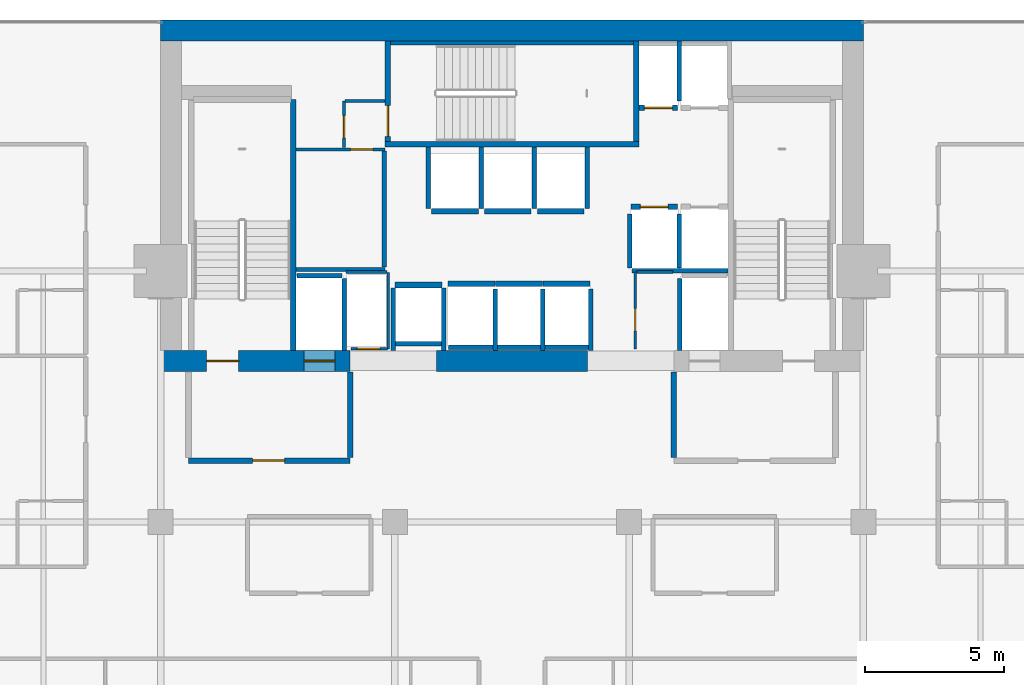
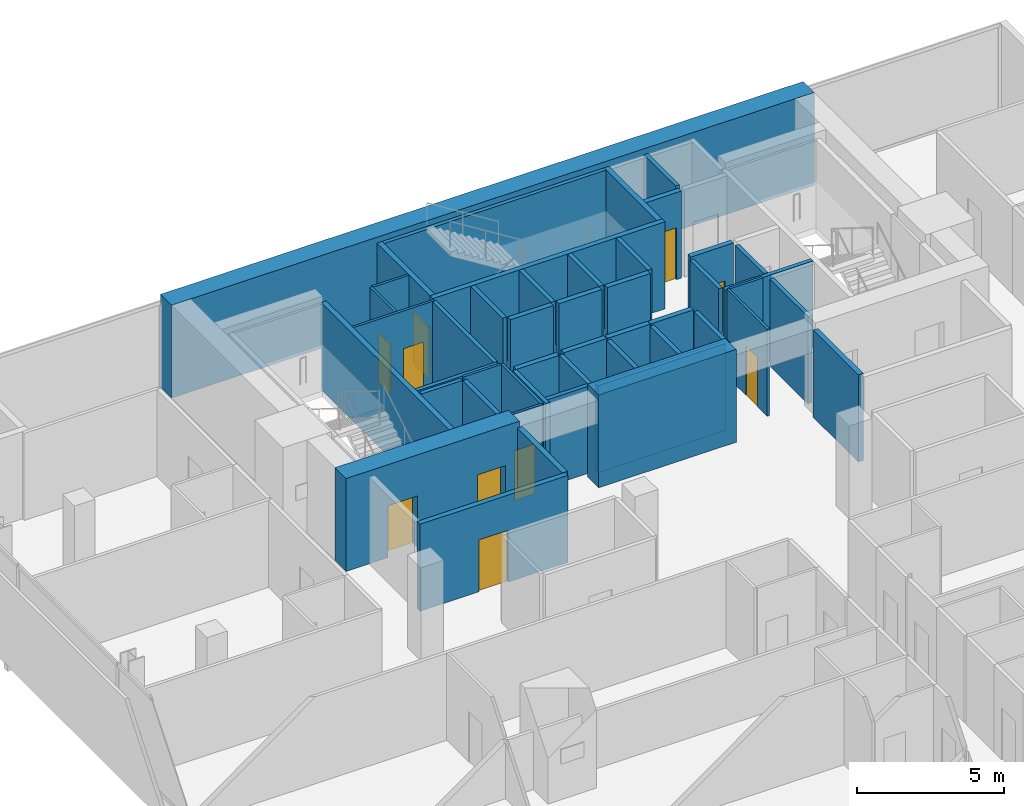
# One storey, part 30 of 34: 48 walls, 10 doors, 10 openings.
"""IFC4 building model written with IfcOpenShell, lengths in metres."""

from ifc_helpers import new_model, si_unit, direction, frame, frame_2d, origin, place, context, subcontext, project, spatial, rectangle, extrude, material, layer, layer_set, type_object, element, fill, save


model = new_model("IFC4")

# Units and contexts
model_context = context("Model", 3, precision=1e-05, world=origin(), true_north=direction((0.0, 1.0)))
body_context = subcontext(model_context, "Body", "Model", "MODEL_VIEW")
ifc_project = project(units=[si_unit("LENGTHUNIT", "METRE"), si_unit("AREAUNIT", "SQUARE_METRE"), si_unit("VOLUMEUNIT", "CUBIC_METRE"), si_unit("PLANEANGLEUNIT", "RADIAN"), si_unit("MASSUNIT", "GRAM", prefix="KILO")], contexts=[model_context])

# Site, building, storey
site_placement = place(None, origin())
site = spatial("IfcSite", under=ifc_project, at=site_placement, CompositionType="ELEMENT")
building_placement = place(site_placement, origin())
building = spatial("IfcBuilding", under=site, at=building_placement, Name="Maruvema Waterfront Hotel and Observation Tower", CompositionType="ELEMENT")
storey_placement = place(building_placement, frame((0.0, 0.0, 131.25)))
storey = spatial("IfcBuildingStorey", under=building, at=storey_placement, Name="L31", CompositionType="ELEMENT", Elevation=131.25)

# Walls
ifc_material_1 = material(Name="Twin-stud acoustic gypsum drywall", Category="gypsum")
ifc_layer_1 = layer(ifc_material_1, 0.14990234375, Name="Acoustic Corridor and Suite Demising Wall 150 mm")
ifc_layer_set_1 = layer_set([ifc_layer_1], Name="Twin-stud acoustic gypsum drywall")
wall_type_1 = type_object("IfcWallType", Name="Acoustic Corridor and Suite Demising Wall 150 mm", PredefinedType="PARTITIONING", material=ifc_layer_set_1)
wall_1_placement = place(storey_placement, frame((30.06005859375, 45.06005859375, 0.0), z_axis=(0.0, 0.0, 1.0), x_axis=(1.0, 0.0, 0.0)))
element("IfcWall", 1, at=wall_1_placement, inside=storey, type_object=wall_type_1, Name="L31 Freed B1 South Wall 012", PredefinedType="PARTITIONING", context=body_context, shape_type="SweptSolid", body=[
    extrude(rectangle(XDim=3.179931640625, YDim=0.14990234375, at=frame_2d((1.58984375, 0.0))), origin(), (0.0, 0.0, 1.0), 3.610107421875),
])
wall_2_placement = place(storey_placement, frame((33.219970703125, 45.139892578125, 0.0), z_axis=(0.0, 0.0, 1.0), x_axis=(0.0, 1.0, 0.0)))
element("IfcWall", 2, at=wall_2_placement, inside=storey, type_object=wall_type_1, Name="L31 Freed B1 East Wall 013", PredefinedType="PARTITIONING", context=body_context, shape_type="SweptSolid", body=[
    extrude(rectangle(XDim=4.16015625, YDim=0.14990234375, at=frame_2d((2.080078125, 0.0))), origin(), (0.0, 0.0, 1.0), 3.610107421875),
])
ifc_material_2 = material(Name="Precast concrete C45/55", Category="concrete")
ifc_layer_2 = layer(ifc_material_2, 0.14990234375, Name="Core Shaft Furring Wall 150 mm")
ifc_layer_set_2 = layer_set([ifc_layer_2], Name="Precast concrete C45/55")
wall_type_2 = type_object("IfcWallType", Name="Core Shaft Furring Wall 150 mm", PredefinedType="SOLIDWALL", material=ifc_layer_set_2)
wall_3_placement = place(storey_placement, frame((33.449951171875, 53.175048828125, 0.0), z_axis=(0.0, 0.0, 1.0), x_axis=(1.0, 0.0, 0.0)))
element("IfcWall", 3, at=wall_3_placement, inside=storey, type_object=wall_type_2, Name="L31 Stairwell ST-02 North Furring Wall", PredefinedType="SOLIDWALL", context=body_context, shape_type="SweptSolid", body=[
    extrude(rectangle(XDim=8.699951171875, YDim=0.14990234375, at=frame_2d((4.35009765625, 0.0))), origin(), (0.0, 0.0, 1.0), 3.610107421875),
])
ifc_material_3 = material(Name="Precast concrete C45/55", Category="concrete")
ifc_layer_3 = layer(ifc_material_3, 0.199951171875, Name="Core Shaft and Stairwell Enclosure Wall 200 mm")
ifc_layer_set_3 = layer_set([ifc_layer_3], Name="Precast concrete C45/55")
wall_type_3 = type_object("IfcWallType", Name="Core Shaft and Stairwell Enclosure Wall 200 mm", PredefinedType="SOLIDWALL", material=ifc_layer_set_3)
wall_4_placement = place(storey_placement, frame((29.949951171875, 42.14990234375, 0.0), z_axis=(0.0, 0.0, 1.0), x_axis=(0.0, 1.0, 0.0)))
element("IfcWall", 4, at=wall_4_placement, inside=storey, type_object=wall_type_3, Name="L31 Stairwell ST-01 East Shaft Wall", PredefinedType="SOLIDWALL", context=body_context, shape_type="SweptSolid", body=[
    extrude(rectangle(XDim=9.0, YDim=0.199951171875, at=frame_2d((4.5, 0.0))), origin(), (0.0, 0.0, 1.0), 3.610107421875),
])
wall_5_placement = place(storey_placement, frame((33.25, 49.550048828125, 0.0), z_axis=(0.0, 0.0, 1.0), x_axis=(1.0, 0.0, 0.0)))
element("IfcWall", 5, at=wall_5_placement, inside=storey, type_object=wall_type_3, Name="L31 Stairwell ST-02 Shaft Wall", PredefinedType="SOLIDWALL", context=body_context, shape_type="SweptSolid", body=[
    extrude(rectangle(XDim=9.10009765625, YDim=0.199951171875, at=frame_2d((4.550048828125, 0.0))), origin(), (0.0, 0.0, 1.0), 3.610107421875),
])
wall_6_placement = place(storey_placement, frame((42.25, 49.64990234375, 0.0), z_axis=(0.0, 0.0, 1.0), x_axis=(0.0, 1.0, 0.0)))
element("IfcWall", 6, at=wall_6_placement, inside=storey, type_object=wall_type_3, Name="L31 Stairwell ST-02 Shaft Wall", PredefinedType="SOLIDWALL", context=body_context, shape_type="SweptSolid", body=[
    extrude(rectangle(XDim=3.60009765625, YDim=0.199951171875, at=frame_2d((1.800048828125, 0.0))), origin(), (0.0, 0.0, 1.0), 3.610107421875),
])

# Wall, opening, door
wall_7_placement = place(storey_placement, frame((33.35009765625, 49.64990234375, 0.0), z_axis=(0.0, 0.0, 1.0), x_axis=(0.0, 1.0, 0.0)))
wall_7 = element("IfcWall", 7, at=wall_7_placement, inside=storey, type_object=wall_type_3, Name="L31 Stairwell ST-02 Shaft Wall", PredefinedType="SOLIDWALL", context=body_context, shape_type="SweptSolid", body=[
    extrude(rectangle(XDim=3.60009765625, YDim=0.199951171875, at=frame_2d((1.800048828125, 0.0))), origin(), (0.0, 0.0, 1.0), 3.610107421875),
])
opening_1_placement = place(wall_7_placement, frame((0.179931640625, 0.0, 0.0)))
opening_1 = element("IfcOpeningElement", 8, at=opening_1_placement, cuts=wall_7, Name="Opening SD-02", PredefinedType="OPENING", context=body_context, shape_type="SweptSolid", body=[
    extrude(rectangle(XDim=1.10009765625, YDim=2.14990234375, at=frame_2d((0.550048828125, 1.074951171875))), frame((0.0, 0.10986328125, 0.0), z_axis=(0.0, -1.0, 0.0), x_axis=(1.0, 0.0, 0.0)), (0.0, 0.0, 1.0), 0.219970703125),
])
ifc_material_4 = material(Name="Fire-rated galvanised steel leaf", Category="steel")
door_type_1 = type_object("IfcDoorType", Name="Central Exit Stair Fire Door 1100x2150 mm", OperationType="NOTDEFINED", PredefinedType="DOOR", material=ifc_material_4)
door_1_placement = place(opening_1_placement, frame((1.10009765625, 0.0, 0.0), z_axis=(0.0, 0.0, 1.0), x_axis=(-1.0, 0.0, 0.0)))
door_1 = element("IfcDoor", 9, at=door_1_placement, inside=storey, type_object=door_type_1, Name="L31 Exit Stair ST-02 Fire Door", OperationType="SINGLE_SWING_LEFT", OverallHeight=2.14990234375, OverallWidth=1.10009765625, PredefinedType="DOOR", context=body_context, shape_type="SweptSolid", body=[
    extrude(rectangle(XDim=1.10009765625, YDim=2.14990234375, at=frame_2d((0.550048828125, 1.074951171875))), frame((0.0, 0.02490234375, 0.0), z_axis=(0.0, -1.0, 0.0), x_axis=(1.0, 0.0, 0.0)), (0.0, 0.0, 1.0), 0.050048828125),
])
fill(opening_1, door_1)

wall_8_placement = place(storey_placement, frame((42.06005859375, 47.300048828125, 0.0), z_axis=(0.0, 0.0, 1.0), x_axis=(1.0, 0.0, 0.0)))
wall_8 = element("IfcWall", 10, at=wall_8_placement, inside=storey, type_object=wall_type_3, Name="L31 Lift LF-05 Hoistway Front Wall", PredefinedType="SOLIDWALL", context=body_context, shape_type="SweptSolid", body=[
    extrude(rectangle(XDim=1.679931640625, YDim=0.199951171875, at=frame_2d((0.83984375, 0.0))), origin(), (0.0, 0.0, 1.0), 3.610107421875),
])
opening_2_placement = place(wall_8_placement, frame((0.340087890625, 0.0, 0.0)))
opening_2 = element("IfcOpeningElement", 11, at=opening_2_placement, cuts=wall_8, Name="Opening LD-01", PredefinedType="OPENING", context=body_context, shape_type="SweptSolid", body=[
    extrude(rectangle(XDim=1.0, YDim=2.14990234375, at=frame_2d((0.5, 1.074951171875))), frame((0.0, 0.10986328125, 0.0), z_axis=(0.0, -1.0, 0.0), x_axis=(1.0, 0.0, 0.0)), (0.0, 0.0, 1.0), 0.219970703125),
])
ifc_material_5 = material(Name="Brushed stainless steel Grade 316", Category="steel")
door_type_2 = type_object("IfcDoorType", Name="Passenger Lift Sliding Landing Door 1000x2150 mm", OperationType="SLIDING_TO_LEFT", PredefinedType="DOOR", material=ifc_material_5)
door_2_placement = place(opening_2_placement, origin())
door_2 = element("IfcDoor", 12, at=door_2_placement, inside=storey, type_object=door_type_2, Name="L31 Lift LF-05 Sliding Landing Door", OperationType="SLIDING_TO_LEFT", OverallHeight=2.14990234375, OverallWidth=1.0, PredefinedType="DOOR", context=body_context, shape_type="SweptSolid", body=[
    extrude(rectangle(XDim=1.0, YDim=2.14990234375, at=frame_2d((0.5, 1.074951171875))), frame((0.0, 0.02490234375, 0.0), z_axis=(0.0, -1.0, 0.0), x_axis=(1.0, 0.0, 0.0)), (0.0, 0.0, 1.0), 0.050048828125),
])
fill(opening_2, door_2)

wall_9_placement = place(storey_placement, frame((42.360107421875, 50.85009765625, 0.0), z_axis=(0.0, 0.0, 1.0), x_axis=(1.0, 0.0, 0.0)))
wall_9 = element("IfcWall", 13, at=wall_9_placement, inside=storey, type_object=wall_type_3, Name="L31 Lift LF-07 Hoistway Front Wall", PredefinedType="SOLIDWALL", context=body_context, shape_type="SweptSolid", body=[
    extrude(rectangle(XDim=1.3798828125, YDim=0.199951171875, at=frame_2d((0.68994140625, 0.0))), origin(), (0.0, 0.0, 1.0), 3.610107421875),
])
opening_3_placement = place(wall_9_placement, frame((0.18994140625, 0.0, 0.0)))
opening_3 = element("IfcOpeningElement", 14, at=opening_3_placement, cuts=wall_9, Name="Opening LD-01", PredefinedType="OPENING", context=body_context, shape_type="SweptSolid", body=[
    extrude(rectangle(XDim=1.0, YDim=2.14990234375, at=frame_2d((0.5, 1.074951171875))), frame((0.0, 0.10986328125, 0.0), z_axis=(0.0, -1.0, 0.0), x_axis=(1.0, 0.0, 0.0)), (0.0, 0.0, 1.0), 0.219970703125),
])
door_3_placement = place(opening_3_placement, frame((1.0, 0.0, 0.0), z_axis=(0.0, 0.0, 1.0), x_axis=(-1.0, 0.0, 0.0)))
door_3 = element("IfcDoor", 15, at=door_3_placement, inside=storey, type_object=door_type_2, Name="L31 Lift LF-07 Sliding Landing Door", OperationType="SLIDING_TO_LEFT", OverallHeight=2.14990234375, OverallWidth=1.0, PredefinedType="DOOR", context=body_context, shape_type="SweptSolid", body=[
    extrude(rectangle(XDim=1.0, YDim=2.14990234375, at=frame_2d((0.5, 1.074951171875))), frame((0.0, 0.02490234375, 0.0), z_axis=(0.0, -1.0, 0.0), x_axis=(1.0, 0.0, 0.0)), (0.0, 0.0, 1.0), 0.050048828125),
])
fill(opening_3, door_3)

# Walls
for number, where, z_axis, x_axis, name in (
    (16, (35.510009765625, 44.550048828125, 0.0), (0.0, 0.0, 1.0), (1.0, 0.0, 0.0), "L31 Lift LF-09 Hoistway Front Wall"),
    (17, (37.2099609375, 44.550048828125, 0.0), (0.0, 0.0, 1.0), (1.0, 0.0, 0.0), "L31 Lift LF-10 Hoistway Front Wall"),
):
    element("IfcWall", number, at=place(storey_placement, frame(where, z_axis=z_axis, x_axis=x_axis)), inside=storey, type_object=wall_type_3, Name=name, PredefinedType="SOLIDWALL", context=body_context, shape_type="SweptSolid", body=[
        extrude(rectangle(XDim=1.679931640625, YDim=0.199951171875, at=frame_2d((0.83984375, 0.0))), origin(), (0.0, 0.0, 1.0), 3.610107421875),
    ])
for number, where, z_axis, x_axis, name in (
    (18, (38.909912109375, 44.550048828125, 0.0), (0.0, 0.0, 1.0), (1.0, 0.0, 0.0), "L31 Lift LF-11 Hoistway Front Wall"),
    (19, (34.909912109375, 47.14990234375, 0.0), (0.0, 0.0, 1.0), (1.0, 0.0, 0.0), "L31 Lift LF-12 Hoistway Front Wall"),
):
    element("IfcWall", number, at=place(storey_placement, frame(where, z_axis=z_axis, x_axis=x_axis)), inside=storey, type_object=wall_type_3, Name=name, PredefinedType="SOLIDWALL", context=body_context, shape_type="SweptSolid", body=[
        extrude(rectangle(XDim=1.68017578125, YDim=0.199951171875, at=frame_2d((0.840087890625, 0.0))), origin(), (0.0, 0.0, 1.0), 3.610107421875),
    ])
for number, where, z_axis, x_axis, name in (
    (20, (36.81005859375, 47.14990234375, 0.0), (0.0, 0.0, 1.0), (1.0, 0.0, 0.0), "L31 Lift LF-13 Hoistway Front Wall"),
    (21, (38.7099609375, 47.14990234375, 0.0), (0.0, 0.0, 1.0), (1.0, 0.0, 0.0), "L31 Lift LF-14 Hoistway Front Wall"),
    (22, (33.610107421875, 44.5, 0.0), (0.0, 0.0, 1.0), (1.0, 0.0, 0.0), "L31 Lift LF-15 Hoistway Front Wall"),
):
    element("IfcWall", number, at=place(storey_placement, frame(where, z_axis=z_axis, x_axis=x_axis)), inside=storey, type_object=wall_type_3, Name=name, PredefinedType="SOLIDWALL", context=body_context, shape_type="SweptSolid", body=[
        extrude(rectangle(XDim=1.679931640625, YDim=0.199951171875, at=frame_2d((0.83984375, 0.0))), origin(), (0.0, 0.0, 1.0), 3.610107421875),
    ])
ifc_material_6 = material(Name="Concrete C70/85", Category="concrete")
ifc_layer_4 = layer(ifc_material_6, 0.75, Name="Core Shear Wall 750 mm")
ifc_layer_set_4 = layer_set([ifc_layer_4], Name="Concrete C70/85")
wall_type_4 = type_object("IfcWallType", Name="Core Shear Wall 750 mm", PredefinedType="SHEAR", material=ifc_layer_set_4)
wall_10_placement = place(storey_placement, frame((25.199951171875, 53.625, 0.0), z_axis=(0.0, 0.0, 1.0), x_axis=(1.0, 0.0, 0.0)))
element("IfcWall", 23, at=wall_10_placement, inside=storey, type_object=wall_type_4, Name="L31 North Core Shear Wall", PredefinedType="SHEAR", context=body_context, shape_type="SweptSolid", body=[
    extrude(rectangle(XDim=25.199951171875, YDim=0.75, at=frame_2d((12.60009765625, 0.0))), origin(), (0.0, 0.0, 1.0), 3.85009765625),
])

# Wall, openings, doors
wall_11_placement = place(storey_placement, frame((25.199951171875, 41.77490234375, 0.0), z_axis=(0.0, 0.0, 1.0), x_axis=(1.0, 0.0, 0.0)))
wall_11 = element("IfcWall", 24, at=wall_11_placement, inside=storey, type_object=wall_type_4, Name="L31 South-West Core Shear Wall", PredefinedType="SHEAR", context=body_context, shape_type="SweptSolid", body=[
    extrude(rectangle(XDim=6.800048828125, YDim=0.75, at=frame_2d((3.39990234375, 0.0))), origin(), (0.0, 0.0, 1.0), 3.85009765625),
])
opening_4_placement = place(wall_11_placement, frame((1.64990234375, 0.0, 0.0)))
opening_4 = element("IfcOpeningElement", 25, at=opening_4_placement, cuts=wall_11, Name="Opening SD-01", PredefinedType="OPENING", context=body_context, shape_type="SweptSolid", body=[
    extrude(rectangle(XDim=1.14990234375, YDim=2.14990234375, at=frame_2d((0.574951171875, 1.074951171875))), frame((0.0, 0.385009765625, 0.0), z_axis=(0.0, -1.0, 0.0), x_axis=(1.0, 0.0, 0.0)), (0.0, 0.0, 1.0), 0.77001953125),
])
opening_5_placement = place(wall_11_placement, frame((5.14990234375, 0.0, 0.0)))
opening_5 = element("IfcOpeningElement", 26, at=opening_5_placement, cuts=wall_11, Name="Opening LD-03", PredefinedType="OPENING", context=body_context, shape_type="SweptSolid", body=[
    extrude(rectangle(XDim=1.10009765625, YDim=2.199951171875, at=frame_2d((0.550048828125, 1.10009765625))), frame((0.0, 0.385009765625, 0.0), z_axis=(0.0, -1.0, 0.0), x_axis=(1.0, 0.0, 0.0)), (0.0, 0.0, 1.0), 0.77001953125),
])
ifc_material_7 = material(Name="Fire-rated galvanised steel leaf", Category="steel")
door_type_3 = type_object("IfcDoorType", Name="Exit Stair Fire Door 1150x2150 mm", OperationType="NOTDEFINED", PredefinedType="DOOR", material=ifc_material_7)
door_4_placement = place(opening_4_placement, origin())
door_4 = element("IfcDoor", 27, at=door_4_placement, inside=storey, type_object=door_type_3, Name="L31 Exit Stair ST-01 Fire Door", OperationType="SINGLE_SWING_LEFT", OverallHeight=2.14990234375, OverallWidth=1.14990234375, PredefinedType="DOOR", context=body_context, shape_type="SweptSolid", body=[
    extrude(rectangle(XDim=1.14990234375, YDim=2.14990234375, at=frame_2d((0.574951171875, 1.074951171875))), frame((0.0, 0.02490234375, 0.0), z_axis=(0.0, -1.0, 0.0), x_axis=(1.0, 0.0, 0.0)), (0.0, 0.0, 1.0), 0.050048828125),
])
fill(opening_4, door_4)
ifc_material_8 = material(Name="Brushed stainless steel Grade 316", Category="steel")
door_type_4 = type_object("IfcDoorType", Name="Firefighting Lift Sliding Landing Door 1100x2200 mm", OperationType="SLIDING_TO_LEFT", PredefinedType="DOOR", material=ifc_material_8)
door_5_placement = place(opening_5_placement, frame((1.10009765625, 0.0, 0.0), z_axis=(0.0, 0.0, 1.0), x_axis=(-1.0, 0.0, 0.0)))
door_5 = element("IfcDoor", 28, at=door_5_placement, inside=storey, type_object=door_type_4, Name="L31 Firefighting Lift FL-01 Landing Door", OperationType="SLIDING_TO_LEFT", OverallHeight=2.199951171875, OverallWidth=1.10009765625, PredefinedType="DOOR", context=body_context, shape_type="SweptSolid", body=[
    extrude(rectangle(XDim=1.10009765625, YDim=2.199951171875, at=frame_2d((0.550048828125, 1.10009765625))), frame((0.0, 0.02490234375, 0.0), z_axis=(0.0, -1.0, 0.0), x_axis=(1.0, 0.0, 0.0)), (0.0, 0.0, 1.0), 0.050048828125),
])
fill(opening_5, door_5)

# Wall
wall_12_placement = place(storey_placement, frame((35.10009765625, 41.77490234375, 0.0), z_axis=(0.0, 0.0, 1.0), x_axis=(1.0, 0.0, 0.0)))
element("IfcWall", 29, at=wall_12_placement, inside=storey, type_object=wall_type_4, Name="L31 South-Central Core Shear Wall", PredefinedType="SHEAR", context=body_context, shape_type="SweptSolid", body=[
    extrude(rectangle(XDim=5.39990234375, YDim=0.75, at=frame_2d((2.699951171875, 0.0))), origin(), (0.0, 0.0, 1.0), 3.85009765625),
])

# Wall, opening, door
ifc_material_9 = material(Name="Moisture-resistant cement-board drywall", Category="gypsum")
ifc_layer_5 = layer(ifc_material_9, 0.10009765625, Name="En-Suite Moisture-Resistant Partition 100 mm")
ifc_layer_set_5 = layer_set([ifc_layer_5], Name="Moisture-resistant cement-board drywall")
wall_type_5 = type_object("IfcWallType", Name="En-Suite Moisture-Resistant Partition 100 mm", PredefinedType="PARTITIONING", material=ifc_layer_set_5)
wall_13_placement = place(storey_placement, frame((32.02001953125, 42.2099609375, 0.0), z_axis=(0.0, 0.0, 1.0), x_axis=(1.0, 0.0, 0.0)))
wall_13 = element("IfcWall", 30, at=wall_13_placement, inside=storey, type_object=wall_type_5, Name="L31 Telecom Riser South Wall 007", PredefinedType="PARTITIONING", context=body_context, shape_type="SweptSolid", body=[
    extrude(rectangle(XDim=1.320068359375, YDim=0.10009765625, at=frame_2d((0.66015625, 0.0))), origin(), (0.0, 0.0, 1.0), 3.610107421875),
])
opening_6_placement = place(wall_13_placement, frame((0.239990234375, 0.0, 0.0)))
opening_6 = element("IfcOpeningElement", 31, at=opening_6_placement, cuts=wall_13, Name="Opening DR-080", PredefinedType="OPENING", context=body_context, shape_type="SweptSolid", body=[
    extrude(rectangle(XDim=0.800048828125, YDim=2.050048828125, at=frame_2d((0.39990234375, 1.02490234375))), frame((0.0, 0.06005859375, 0.0), z_axis=(0.0, -1.0, 0.0), x_axis=(1.0, 0.0, 0.0)), (0.0, 0.0, 1.0), 0.1201171875),
])
ifc_material_10 = material(Name="Powder-coated steel access leaf", Category="steel")
door_type_5 = type_object("IfcDoorType", Name="Riser and Service Cupboard Door 800x2050 mm", OperationType="NOTDEFINED", PredefinedType="DOOR", material=ifc_material_10)
door_6_placement = place(opening_6_placement, frame((0.800048828125, 0.0, 0.0), z_axis=(0.0, 0.0, 1.0), x_axis=(-1.0, 0.0, 0.0)))
door_6 = element("IfcDoor", 32, at=door_6_placement, inside=storey, type_object=door_type_5, Name="L31 Telecom Riser Door", OperationType="SINGLE_SWING_LEFT", OverallHeight=2.050048828125, OverallWidth=0.800048828125, PredefinedType="DOOR", context=body_context, shape_type="SweptSolid", body=[
    extrude(rectangle(XDim=0.800048828125, YDim=2.050048828125, at=frame_2d((0.39990234375, 1.02490234375))), frame((0.0, 0.02490234375, 0.0), z_axis=(0.0, -1.0, 0.0), x_axis=(1.0, 0.0, 0.0)), (0.0, 0.0, 1.0), 0.050048828125),
])
fill(opening_6, door_6)

# Walls
wall_14_placement = place(storey_placement, frame((31.840087890625, 44.9599609375, 0.0), z_axis=(0.0, 0.0, 1.0), x_axis=(1.0, 0.0, 0.0)))
element("IfcWall", 33, at=wall_14_placement, inside=storey, type_object=wall_type_5, Name="L31 Telecom Riser North Wall 008", PredefinedType="PARTITIONING", context=body_context, shape_type="SweptSolid", body=[
    extrude(rectangle(XDim=1.47998046875, YDim=0.10009765625, at=frame_2d((0.739990234375, 0.0))), origin(), (0.0, 0.0, 1.0), 3.610107421875),
])
wall_15_placement = place(storey_placement, frame((33.360107421875, 42.2099609375, 0.0), z_axis=(0.0, 0.0, 1.0), x_axis=(0.0, 1.0, 0.0)))
element("IfcWall", 34, at=wall_15_placement, inside=storey, type_object=wall_type_5, Name="L31 Telecom Riser East Wall 009", PredefinedType="PARTITIONING", context=body_context, shape_type="SweptSolid", body=[
    extrude(rectangle(XDim=2.72998046875, YDim=0.10009765625, at=frame_2d((1.364990234375, 0.0))), origin(), (0.0, 0.0, 1.0), 3.610107421875),
])

# Wall, opening, door
wall_16_placement = place(storey_placement, frame((42.219970703125, 42.199951171875, 0.0), z_axis=(0.0, 0.0, 1.0), x_axis=(0.0, 1.0, 0.0)))
wall_16 = element("IfcWall", 35, at=wall_16_placement, inside=storey, type_object=wall_type_5, Name="L31 Core Closet K1 West 010", PredefinedType="PARTITIONING", context=body_context, shape_type="SweptSolid", body=[
    extrude(rectangle(XDim=2.760009765625, YDim=0.10009765625, at=frame_2d((1.3798828125, 0.0))), origin(), (0.0, 0.0, 1.0), 3.610107421875),
])
opening_7_placement = place(wall_16_placement, frame((0.64990234375, 0.0, 0.0)))
opening_7 = element("IfcOpeningElement", 36, at=opening_7_placement, cuts=wall_16, Name="Opening DR-080", PredefinedType="OPENING", context=body_context, shape_type="SweptSolid", body=[
    extrude(rectangle(XDim=0.800048828125, YDim=2.050048828125, at=frame_2d((0.39990234375, 1.02490234375))), frame((0.0, 0.06005859375, 0.0), z_axis=(0.0, -1.0, 0.0), x_axis=(1.0, 0.0, 0.0)), (0.0, 0.0, 1.0), 0.1201171875),
])
door_7_placement = place(opening_7_placement, frame((0.800048828125, 0.0, 0.0), z_axis=(0.0, 0.0, 1.0), x_axis=(-1.0, 0.0, 0.0)))
door_7 = element("IfcDoor", 37, at=door_7_placement, inside=storey, type_object=door_type_5, Name="L31 Core Cleaning Store Door", OperationType="SINGLE_SWING_RIGHT", OverallHeight=2.050048828125, OverallWidth=0.800048828125, PredefinedType="DOOR", context=body_context, shape_type="SweptSolid", body=[
    extrude(rectangle(XDim=0.800048828125, YDim=2.050048828125, at=frame_2d((0.39990234375, 1.02490234375))), frame((0.0, 0.02490234375, 0.0), z_axis=(0.0, -1.0, 0.0), x_axis=(1.0, 0.0, 0.0)), (0.0, 0.0, 1.0), 0.050048828125),
])
fill(opening_7, door_7)

# Wall
wall_17_placement = place(storey_placement, frame((42.280029296875, 44.9599609375, 0.0), z_axis=(0.0, 0.0, 1.0), x_axis=(1.0, 0.0, 0.0)))
element("IfcWall", 38, at=wall_17_placement, inside=storey, type_object=wall_type_5, Name="L31 Core Closet K1 North 011", PredefinedType="PARTITIONING", context=body_context, shape_type="SweptSolid", body=[
    extrude(rectangle(XDim=1.300048828125, YDim=0.10009765625, at=frame_2d((0.64990234375, 0.0))), origin(), (0.0, 0.0, 1.0), 3.610107421875),
])

# Wall, opening, door
wall_18_placement = place(storey_placement, frame((30.06005859375, 49.360107421875, 0.0), z_axis=(0.0, 0.0, 1.0), x_axis=(1.0, 0.0, 0.0)))
wall_18 = element("IfcWall", 39, at=wall_18_placement, inside=storey, type_object=wall_type_5, Name="L31 Freed B1 Mid Wall 014", PredefinedType="PARTITIONING", context=body_context, shape_type="SweptSolid", body=[
    extrude(rectangle(XDim=3.179931640625, YDim=0.10009765625, at=frame_2d((1.58984375, 0.0))), origin(), (0.0, 0.0, 1.0), 3.610107421875),
])
opening_8_placement = place(wall_18_placement, frame((1.949951171875, 0.0, 0.0)))
opening_8 = element("IfcOpeningElement", 40, at=opening_8_placement, cuts=wall_18, Name="Opening DR-080", PredefinedType="OPENING", context=body_context, shape_type="SweptSolid", body=[
    extrude(rectangle(XDim=0.800048828125, YDim=2.050048828125, at=frame_2d((0.39990234375, 1.02490234375))), frame((0.0, 0.06005859375, 0.0), z_axis=(0.0, -1.0, 0.0), x_axis=(1.0, 0.0, 0.0)), (0.0, 0.0, 1.0), 0.1201171875),
])
door_8_placement = place(opening_8_placement, origin())
door_8 = element("IfcDoor", 41, at=door_8_placement, inside=storey, type_object=door_type_5, Name="L31 Housekeeping and Linen Room Door", OperationType="SINGLE_SWING_LEFT", OverallHeight=2.050048828125, OverallWidth=0.800048828125, PredefinedType="DOOR", context=body_context, shape_type="SweptSolid", body=[
    extrude(rectangle(XDim=0.800048828125, YDim=2.050048828125, at=frame_2d((0.39990234375, 1.02490234375))), frame((0.0, 0.02490234375, 0.0), z_axis=(0.0, -1.0, 0.0), x_axis=(1.0, 0.0, 0.0)), (0.0, 0.0, 1.0), 0.050048828125),
])
fill(opening_8, door_8)

wall_19_placement = place(storey_placement, frame((31.780029296875, 49.419921875, 0.0), z_axis=(0.0, 0.0, 1.0), x_axis=(0.0, 1.0, 0.0)))
wall_19 = element("IfcWall", 42, at=wall_19_placement, inside=storey, type_object=wall_type_5, Name="L31 Freed B1 NW East Wall 015", PredefinedType="PARTITIONING", context=body_context, shape_type="SweptSolid", body=[
    extrude(rectangle(XDim=1.68017578125, YDim=0.10009765625, at=frame_2d((0.840087890625, 0.0))), origin(), (0.0, 0.0, 1.0), 3.610107421875),
])
opening_9_placement = place(wall_19_placement, frame((0.35009765625, 0.0, 0.0)))
opening_9 = element("IfcOpeningElement", 43, at=opening_9_placement, cuts=wall_19, Name="Opening DR-080", PredefinedType="OPENING", context=body_context, shape_type="SweptSolid", body=[
    extrude(rectangle(XDim=0.800048828125, YDim=2.050048828125, at=frame_2d((0.39990234375, 1.02490234375))), frame((0.0, 0.06005859375, 0.0), z_axis=(0.0, -1.0, 0.0), x_axis=(1.0, 0.0, 0.0)), (0.0, 0.0, 1.0), 0.1201171875),
])
door_9_placement = place(opening_9_placement, origin())
door_9 = element("IfcDoor", 44, at=door_9_placement, inside=storey, type_object=door_type_5, Name="L31 Guest Floor Pantry Door", OperationType="SINGLE_SWING_RIGHT", OverallHeight=2.050048828125, OverallWidth=0.800048828125, PredefinedType="DOOR", context=body_context, shape_type="SweptSolid", body=[
    extrude(rectangle(XDim=0.800048828125, YDim=2.050048828125, at=frame_2d((0.39990234375, 1.02490234375))), frame((0.0, 0.02490234375, 0.0), z_axis=(0.0, -1.0, 0.0), x_axis=(1.0, 0.0, 0.0)), (0.0, 0.0, 1.0), 0.050048828125),
])
fill(opening_9, door_9)

# Wall
wall_20_placement = place(storey_placement, frame((31.820068359375, 51.10009765625, 0.0), z_axis=(0.0, 0.0, 1.0), x_axis=(1.0, 0.0, 0.0)))
element("IfcWall", 45, at=wall_20_placement, inside=storey, type_object=wall_type_5, Name="L31 Freed B1 Vestibule North Wall 016", PredefinedType="PARTITIONING", context=body_context, shape_type="SweptSolid", body=[
    extrude(rectangle(XDim=1.419921875, YDim=0.10009765625, at=frame_2d((0.7099609375, 0.0))), origin(), (0.0, 0.0, 1.0), 3.610107421875),
])

# Wall, opening, door
ifc_material_11 = material(Name="Autoclaved cellular concrete blockwork", Category="masonry")
ifc_layer_6 = layer(ifc_material_11, 0.199951171875, Name="Fire Compartment Masonry Wall 200 mm")
ifc_layer_set_6 = layer_set([ifc_layer_6], Name="Autoclaved cellular concrete blockwork")
wall_type_6 = type_object("IfcWallType", Name="Fire Compartment Masonry Wall 200 mm", PredefinedType="PARTITIONING", material=ifc_layer_set_6)
wall_21_placement = place(storey_placement, frame((26.199951171875, 38.199951171875, 0.0), z_axis=(0.0, 0.0, 1.0), x_axis=(1.0, 0.0, 0.0)))
wall_21 = element("IfcWall", 46, at=wall_21_placement, inside=storey, type_object=wall_type_6, Name="L31 FFL West South Wall 001", PredefinedType="PARTITIONING", context=body_context, shape_type="SweptSolid", body=[
    extrude(rectangle(XDim=5.800048828125, YDim=0.199951171875, at=frame_2d((2.89990234375, 0.0))), origin(), (0.0, 0.0, 1.0), 3.610107421875),
])
opening_10_placement = place(wall_21_placement, frame((2.300048828125, 0.0, 0.0)))
opening_10 = element("IfcOpeningElement", 47, at=opening_10_placement, cuts=wall_21, Name="Opening FD-115", PredefinedType="OPENING", context=body_context, shape_type="SweptSolid", body=[
    extrude(rectangle(XDim=1.14990234375, YDim=2.14990234375, at=frame_2d((0.574951171875, 1.074951171875))), frame((0.0, 0.10986328125, 0.0), z_axis=(0.0, -1.0, 0.0), x_axis=(1.0, 0.0, 0.0)), (0.0, 0.0, 1.0), 0.219970703125),
])
ifc_material_12 = material(Name="Fire-rated galvanised steel and vision glass", Category="steel")
door_type_6 = type_object("IfcDoorType", Name="Firefighting Lobby Fire Door 1150x2150 mm", OperationType="NOTDEFINED", PredefinedType="DOOR", material=ifc_material_12)
door_10_placement = place(opening_10_placement, frame((1.14990234375, 0.0, 0.0), z_axis=(0.0, 0.0, 1.0), x_axis=(-1.0, 0.0, 0.0)))
door_10 = element("IfcDoor", 48, at=door_10_placement, inside=storey, type_object=door_type_6, Name="L31 Firefighting Lobby West Door", OperationType="SINGLE_SWING_LEFT", OverallHeight=2.14990234375, OverallWidth=1.14990234375, PredefinedType="DOOR", context=body_context, shape_type="SweptSolid", body=[
    extrude(rectangle(XDim=1.14990234375, YDim=2.14990234375, at=frame_2d((0.574951171875, 1.074951171875))), frame((0.0, 0.02490234375, 0.0), z_axis=(0.0, -1.0, 0.0), x_axis=(1.0, 0.0, 0.0)), (0.0, 0.0, 1.0), 0.050048828125),
])
fill(opening_10, door_10)

# Walls
for number, where, z_axis, x_axis, name in (
    (49, (32.0, 38.31005859375, 0.0), (0.0, 0.0, 1.0), (0.0, 1.0, 0.0), "L31 FFL West East Wall 003"),
    (50, (43.60009765625, 38.31005859375, 0.0), (0.0, 0.0, 1.0), (0.0, 1.0, 0.0), "L31 FFL East West Wall 005"),
):
    element("IfcWall", number, at=place(storey_placement, frame(where, z_axis=z_axis, x_axis=x_axis)), inside=storey, type_object=wall_type_6, Name=name, PredefinedType="PARTITIONING", context=body_context, shape_type="SweptSolid", body=[
        extrude(rectangle(XDim=3.06982421875, YDim=0.199951171875, at=frame_2d((1.534912109375, 0.0))), origin(), (0.0, 0.0, 1.0), 3.610107421875),
    ])
ifc_material_13 = material(Name="Precast concrete C45/55", Category="concrete")
ifc_layer_7 = layer(ifc_material_13, 0.159912109375, Name="Lift Hoistway Divider Wall 160 mm")
ifc_layer_set_7 = layer_set([ifc_layer_7], Name="Precast concrete C45/55")
wall_type_7 = type_object("IfcWallType", Name="Lift Hoistway Divider Wall 160 mm", PredefinedType="SOLIDWALL", material=ifc_layer_set_7)
wall_22_placement = place(storey_placement, frame((30.10009765625, 44.830078125, 0.0), z_axis=(0.0, 0.0, 1.0), x_axis=(1.0, 0.0, 0.0)))
element("IfcWall", 51, at=wall_22_placement, inside=storey, type_object=wall_type_7, Name="L31 Lift FL-01 Rear Hoistway Wall", PredefinedType="SOLIDWALL", context=body_context, shape_type="SweptSolid", body=[
    extrude(rectangle(XDim=1.599853515625, YDim=0.159912109375, at=frame_2d((0.7998046875, 0.0))), origin(), (0.0, 0.0, 1.0), 3.610107421875),
])
for number, where, z_axis, x_axis, name in (
    (52, (31.780029296875, 42.14990234375, 0.0), (0.0, 0.0, 1.0), (0.0, 1.0, 0.0), "L31 Lift FL-01 Inner Hoistway Wall"),
    (53, (43.820068359375, 42.14990234375, 0.0), (0.0, 0.0, 1.0), (0.0, 1.0, 0.0), "L31 Lift FL-02 Inner Hoistway Wall"),
):
    element("IfcWall", number, at=place(storey_placement, frame(where, z_axis=z_axis, x_axis=x_axis)), inside=storey, type_object=wall_type_7, Name=name, PredefinedType="SOLIDWALL", context=body_context, shape_type="SweptSolid", body=[
        extrude(rectangle(XDim=2.590087890625, YDim=0.159912109375, at=frame_2d((1.294921875, 0.0))), origin(), (0.0, 0.0, 1.0), 3.610107421875),
    ])
for number, where, z_axis, x_axis, name in (
    (54, (42.02001953125, 45.10009765625, 0.0), (0.0, 0.0, 1.0), (0.0, 1.0, 0.0), "L31 Hoistway Divider Wall"),
    (55, (43.800048828125, 45.10009765625, 0.0), (0.0, 0.0, 1.0), (0.0, 1.0, 0.0), "L31 Hoistway Divider Wall"),
):
    element("IfcWall", number, at=place(storey_placement, frame(where, z_axis=z_axis, x_axis=x_axis)), inside=storey, type_object=wall_type_7, Name=name, PredefinedType="SOLIDWALL", context=body_context, shape_type="SweptSolid", body=[
        extrude(rectangle(XDim=1.949951171875, YDim=0.159912109375, at=frame_2d((0.97509765625, 0.0))), origin(), (0.0, 0.0, 1.0), 3.610107421875),
    ])
wall_23_placement = place(storey_placement, frame((42.10009765625, 45.010009765625, 0.0), z_axis=(0.0, 0.0, 1.0), x_axis=(1.0, 0.0, 0.0)))
element("IfcWall", 56, at=wall_23_placement, inside=storey, type_object=wall_type_7, Name="L31 Hoistway Divider Wall", PredefinedType="SOLIDWALL", context=body_context, shape_type="SweptSolid", body=[
    extrude(rectangle(XDim=3.449951171875, YDim=0.159912109375, at=frame_2d((1.72509765625, 0.0))), origin(), (0.0, 0.0, 1.0), 3.610107421875),
])
wall_24_placement = place(storey_placement, frame((43.800048828125, 51.10009765625, 0.0), z_axis=(0.0, 0.0, 1.0), x_axis=(0.0, 1.0, 0.0)))
element("IfcWall", 57, at=wall_24_placement, inside=storey, type_object=wall_type_7, Name="L31 Hoistway Divider Wall", PredefinedType="SOLIDWALL", context=body_context, shape_type="SweptSolid", body=[
    extrude(rectangle(XDim=2.14990234375, YDim=0.159912109375, at=frame_2d((1.074951171875, 0.0))), origin(), (0.0, 0.0, 1.0), 3.610107421875),
])
for number, where, z_axis, x_axis, name in (
    (58, (37.199951171875, 42.14990234375, 0.0), (0.0, 0.0, 1.0), (0.0, 1.0, 0.0), "L31 Hoistway Divider Wall"),
    (59, (38.89990234375, 42.14990234375, 0.0), (0.0, 0.0, 1.0), (0.0, 1.0, 0.0), "L31 Hoistway Divider Wall"),
    (60, (40.6201171875, 42.14990234375, 0.0), (0.0, 0.0, 1.0), (0.0, 1.0, 0.0), "L31 Hoistway Divider Wall"),
):
    element("IfcWall", number, at=place(storey_placement, frame(where, z_axis=z_axis, x_axis=x_axis)), inside=storey, type_object=wall_type_7, Name=name, PredefinedType="SOLIDWALL", context=body_context, shape_type="SweptSolid", body=[
        extrude(rectangle(XDim=2.2001953125, YDim=0.159912109375, at=frame_2d((1.10009765625, 0.0))), origin(), (0.0, 0.0, 1.0), 3.610107421875),
    ])
wall_25_placement = place(storey_placement, frame((35.52001953125, 42.260009765625, 0.0), z_axis=(0.0, 0.0, 1.0), x_axis=(1.0, 0.0, 0.0)))
element("IfcWall", 61, at=wall_25_placement, inside=storey, type_object=wall_type_7, Name="L31 Hoistway Divider Wall", PredefinedType="SOLIDWALL", context=body_context, shape_type="SweptSolid", body=[
    extrude(rectangle(XDim=5.02001953125, YDim=0.159912109375, at=frame_2d((2.510009765625, 0.0))), origin(), (0.0, 0.0, 1.0), 3.610107421875),
])
for number, where, z_axis, x_axis, name in (
    (62, (34.800048828125, 47.25, 0.0), (0.0, 0.0, 1.0), (0.0, 1.0, 0.0), "L31 Hoistway Divider Wall"),
    (63, (36.699951171875, 47.25, 0.0), (0.0, 0.0, 1.0), (0.0, 1.0, 0.0), "L31 Hoistway Divider Wall"),
    (64, (38.60009765625, 47.25, 0.0), (0.0, 0.0, 1.0), (0.0, 1.0, 0.0), "L31 Hoistway Divider Wall"),
    (65, (40.5, 47.25, 0.0), (0.0, 0.0, 1.0), (0.0, 1.0, 0.0), "L31 Hoistway Divider Wall"),
):
    element("IfcWall", number, at=place(storey_placement, frame(where, z_axis=z_axis, x_axis=x_axis)), inside=storey, type_object=wall_type_7, Name=name, PredefinedType="SOLIDWALL", context=body_context, shape_type="SweptSolid", body=[
        extrude(rectangle(XDim=2.18994140625, YDim=0.159912109375, at=frame_2d((1.094970703125, 0.0))), origin(), (0.0, 0.0, 1.0), 3.610107421875),
    ])
for number, where, z_axis, x_axis, name in (
    (66, (33.5400390625, 42.14990234375, 0.0), (0.0, 0.0, 1.0), (0.0, 1.0, 0.0), "L31 Hoistway Divider Wall"),
    (67, (35.360107421875, 42.14990234375, 0.0), (0.0, 0.0, 1.0), (0.0, 1.0, 0.0), "L31 Hoistway Divider Wall"),
):
    element("IfcWall", number, at=place(storey_placement, frame(where, z_axis=z_axis, x_axis=x_axis)), inside=storey, type_object=wall_type_7, Name=name, PredefinedType="SOLIDWALL", context=body_context, shape_type="SweptSolid", body=[
        extrude(rectangle(XDim=2.25, YDim=0.159912109375, at=frame_2d((1.125, 0.0))), origin(), (0.0, 0.0, 1.0), 3.610107421875),
    ])
wall_26_placement = place(storey_placement, frame((33.6201171875, 42.39990234375, 0.0), z_axis=(0.0, 0.0, 1.0), x_axis=(1.0, 0.0, 0.0)))
element("IfcWall", 68, at=wall_26_placement, inside=storey, type_object=wall_type_7, Name="L31 Hoistway Divider Wall", PredefinedType="SOLIDWALL", context=body_context, shape_type="SweptSolid", body=[
    extrude(rectangle(XDim=1.659912109375, YDim=0.159912109375, at=frame_2d((0.830078125, 0.0))), origin(), (0.0, 0.0, 1.0), 3.610107421875),
])

save(model, "model.ifc")
